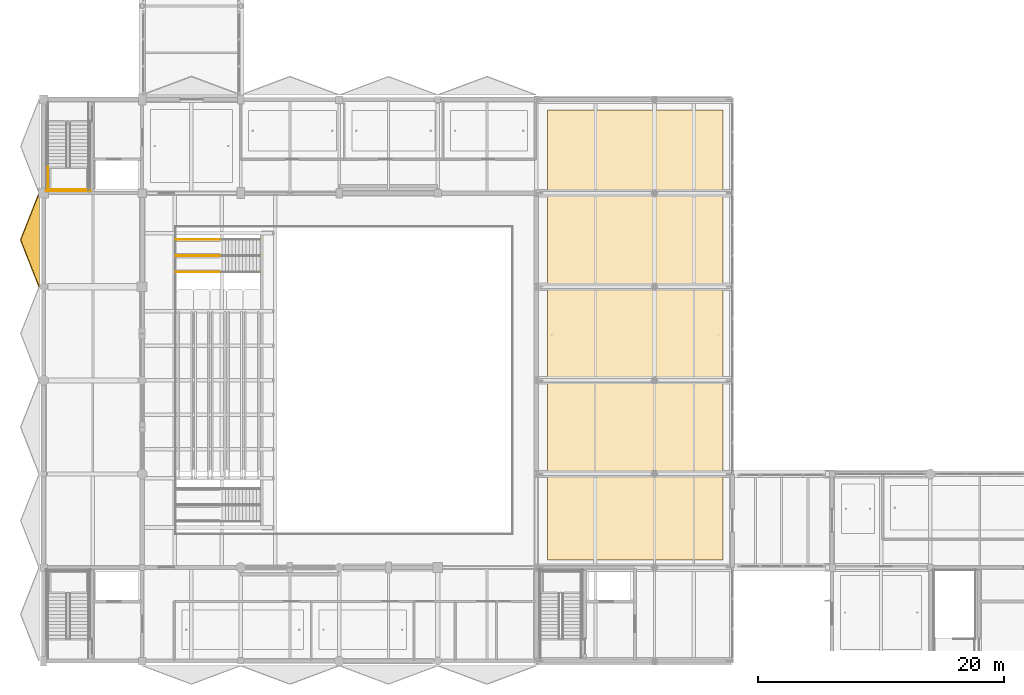
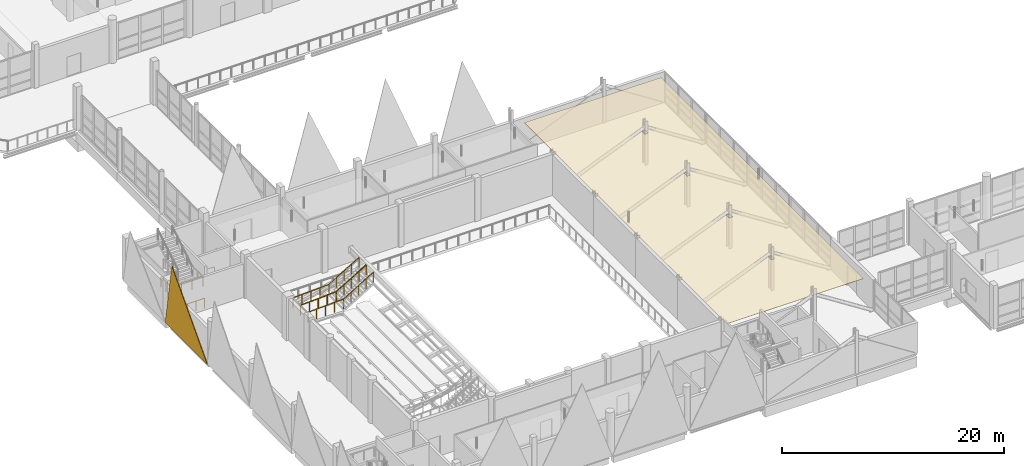
# One storey, part 130 of 141: 7 railings, 2 coverings.
"""IFC4 building model written with IfcOpenShell, lengths in metres."""

from ifc_helpers import new_model, si_unit, direction, frame, origin, origin_2d, place, context, subcontext, project, spatial, polyline, circle, outline, extrude, material, layer, layer_set, type_object, element, save


model = new_model("IFC4")

# Units and contexts
model_context = context("Model", 3, precision=1e-05, world=origin(), true_north=direction((0.0, 1.0)))
body_context = subcontext(model_context, "Body", "Model", "MODEL_VIEW")
ifc_project = project(units=[si_unit("LENGTHUNIT", "METRE"), si_unit("AREAUNIT", "SQUARE_METRE"), si_unit("VOLUMEUNIT", "CUBIC_METRE"), si_unit("PLANEANGLEUNIT", "RADIAN"), si_unit("MASSUNIT", "GRAM", prefix="KILO")], contexts=[model_context])

# Site, building, storey
site_placement = place(None, origin())
site = spatial("IfcSite", under=ifc_project, at=site_placement, CompositionType="ELEMENT")
building_placement = place(site_placement, origin())
building = spatial("IfcBuilding", under=site, at=building_placement, Name="Khelvaren Railside Concert Hall", CompositionType="ELEMENT")
storey_placement = place(building_placement, frame((0.0, 0.0, 10.199951171875)))
storey = spatial("IfcBuildingStorey", under=building, at=storey_placement, Name="L02", CompositionType="ELEMENT", Elevation=10.199951171875)

# Coverings
ifc_material_1 = material(Name="Board-marked precast concrete C45/55", Category="concrete")
ifc_layer_1 = layer(ifc_material_1, 0.070068359375)
ifc_layer_set_1 = layer_set([ifc_layer_1], Name="Board-marked precast concrete C45/55")
covering_type_1 = type_object("IfcCoveringType", Name="CLD68", PredefinedType="CLADDING", material=ifc_layer_set_1)
covering_1_placement = place(storey_placement, frame((-0.35498046875, 30.39990234375, 0.0), z_axis=(0.986559998498, 0.0, 0.163399416655), x_axis=(0.0, 1.0, 0.0)))
element("IfcCovering", 1, at=covering_1_placement, inside=storey, type_object=covering_type_1, Name="Main Hall Cut-Crystal West Lower Facet 5", PredefinedType="CLADDING", context=body_context, shape_type="SweptSolid", body=[
    extrude(outline(polyline([(0.0, 0.0), (7.60009765625, 0.0), (3.800048828125, 9.150076653336638), (0.0, 0.0)])), origin(), (0.0, 0.0, -1.0), 0.070068359375),
])
ifc_material_2 = material(Name="Mineral-wool acoustic baffle ceiling", Category="gypsum")
ifc_layer_2 = layer(ifc_material_2, 0.0400390625)
ifc_layer_set_2 = layer_set([ifc_layer_2], Name="Mineral-wool acoustic baffle ceiling")
covering_type_2 = type_object("IfcCoveringType", Name="CLG20", PredefinedType="CEILING", material=ifc_layer_set_2)
covering_2_placement = place(storey_placement, frame((0.0, 0.0, 3.41015625)))
element("IfcCovering", 2, at=covering_2_placement, inside=storey, type_object=covering_type_2, Name="Suspended Acoustic Ceiling Upper Crystal Belvedere Foyer", PredefinedType="CEILING", context=body_context, shape_type="SweptSolid", body=[
    extrude(outline(polyline([(40.89990234375, 8.199951171875), (55.14990234375, 8.199951171875), (55.14990234375, 44.75), (40.89990234375, 44.75), (40.89990234375, 8.199951171875)]), holes=[polyline([(49.43505859375, 14.93505859375), (49.764892578125, 14.93505859375), (49.764892578125, 15.465087890625), (49.43505859375, 15.465087890625), (49.43505859375, 14.93505859375)]), polyline([(49.43505859375, 22.534912109375), (49.764892578125, 22.534912109375), (49.764892578125, 23.06494140625), (49.43505859375, 23.06494140625), (49.43505859375, 22.534912109375)]), polyline([(49.43505859375, 30.135009765625), (49.764892578125, 30.135009765625), (49.764892578125, 30.6650390625), (49.43505859375, 30.6650390625), (49.43505859375, 30.135009765625)]), polyline([(49.43505859375, 37.735107421875), (49.764892578125, 37.735107421875), (49.764892578125, 38.264892578125), (49.43505859375, 38.264892578125), (49.43505859375, 37.735107421875)])]), origin(), (0.0, 0.0, 1.0), 0.039794921875),
])

# Railings
ifc_material_3 = material(Name="Painted architectural steel", Category="steel")
railing_type = type_object("IfcRailingType", Name="GRD86", PredefinedType="GUARDRAIL", material=ifc_material_3)
railing_1_placement = place(storey_placement, frame((0.35009765625, 40.1201171875, 2.400146484375)))
element("IfcRailing", 3, at=railing_1_placement, inside=storey, type_object=railing_type, Name="L02 ST-11 stair guard 3", PredefinedType="GUARDRAIL", context=body_context, shape_type="SweptSolid", body=[
    extrude(circle(Radius=0.02392578125, at=origin_2d()), frame((0.0, 0.0, 1.076171875), z_axis=(0.0, -1.0, 0.0), x_axis=(1.0, 0.0, 0.0)), (0.0, 0.0, 1.0), 1.880126953125),
    extrude(circle(Radius=0.02099609375, at=origin_2d()), origin(), (0.0, 0.0, 1.0), 1.052001953125),
    extrude(circle(Radius=0.02099609375, at=origin_2d()), frame((0.0, -0.93994140625, 0.0)), (0.0, 0.0, 1.0), 1.052001953125),
    extrude(circle(Radius=0.02099609375, at=origin_2d()), frame((0.0, -1.880126953125, 0.0)), (0.0, 0.0, 1.0), 1.052001953125),
])
railing_2_placement = place(storey_placement, frame((0.300048828125, 38.2900390625, 2.400146484375)))
element("IfcRailing", 4, at=railing_2_placement, inside=storey, type_object=railing_type, Name="L02 ST-11 stair guard 5", PredefinedType="GUARDRAIL", context=body_context, shape_type="SweptSolid", body=[
    extrude(circle(Radius=0.02392578125, at=origin_2d()), frame((0.0, 0.0, 1.076171875), z_axis=(1.0, 0.0, 0.0), x_axis=(0.0, 1.0, 0.0)), (0.0, 0.0, 1.0), 3.39990234375),
    extrude(circle(Radius=0.02099609375, at=origin_2d()), origin(), (0.0, 0.0, 1.0), 1.052001953125),
    extrude(circle(Radius=0.02099609375, at=origin_2d()), frame((1.13330078125, 0.0, 0.0)), (0.0, 0.0, 1.0), 1.052001953125),
    extrude(circle(Radius=0.02099609375, at=origin_2d()), frame((2.2666015625, 0.0, 0.0)), (0.0, 0.0, 1.0), 1.052001953125),
    extrude(circle(Radius=0.02099609375, at=origin_2d()), frame((3.39990234375, 0.0, 0.0)), (0.0, 0.0, 1.0), 1.052001953125),
])
railing_3_placement = place(storey_placement, frame((0.199951171875, 38.18994140625, 0.0)))
element("IfcRailing", 5, at=railing_3_placement, inside=storey, type_object=railing_type, Name="L02 ST-11 stair guard 12", PredefinedType="GUARDRAIL", context=body_context, shape_type="SweptSolid", body=[
    extrude(circle(Radius=0.02392578125, at=origin_2d()), frame((0.0, 0.0, 1.076171875), z_axis=(1.0, 0.0, 0.0), x_axis=(0.0, 1.0, 0.0)), (0.0, 0.0, 1.0), 3.60009765625),
    extrude(circle(Radius=0.02099609375, at=origin_2d()), origin(), (0.0, 0.0, 1.0), 1.052001953125),
    extrude(circle(Radius=0.02099609375, at=origin_2d()), frame((0.89990234375, 0.0, 0.0)), (0.0, 0.0, 1.0), 1.052001953125),
    extrude(circle(Radius=0.02099609375, at=origin_2d()), frame((1.800048828125, 0.0, 0.0)), (0.0, 0.0, 1.0), 1.052001953125),
    extrude(circle(Radius=0.02099609375, at=origin_2d()), frame((2.7001953125, 0.0, 0.0)), (0.0, 0.0, 1.0), 1.052001953125),
    extrude(circle(Radius=0.02099609375, at=origin_2d()), frame((3.60009765625, 0.0, 0.0)), (0.0, 0.0, 1.0), 1.052001953125),
])
for number, where, name in (
    (6, (10.75, 31.60009765625, 0.0), "Vomitory Guardrail ST-23-L"),
    (7, (10.75, 32.89990234375, 0.0), "Vomitory Guardrail ST-23-R"),
    (8, (10.75, 32.949951171875, 0.0), "Vomitory Guardrail ST-24-L"),
    (9, (10.75, 34.25, 0.0), "Vomitory Guardrail ST-24-R"),
):
    element("IfcRailing", number, at=place(storey_placement, frame(where)), inside=storey, type_object=railing_type, Name=name, PredefinedType="GUARDRAIL", context=body_context, shape_type="SweptSolid", body=[
        extrude(circle(Radius=0.02392578125, at=origin_2d()), frame((0.0, 0.0, 1.076171875), z_axis=(0.998955386328, 0.0, 0.045696128127), x_axis=(0.0, 1.0, 0.0)), (0.0, 0.0, 1.0), 3.723876953125),
        extrude(circle(Radius=0.02392578125, at=origin_2d()), frame((3.719970703125, 0.0, 1.24609375), z_axis=(0.858483901645, 0.0, 0.512840511871), x_axis=(0.0, 1.0, 0.0)), (0.0, 0.0, 1.0), 3.64599609375),
        extrude(circle(Radius=0.02099609375, at=origin_2d()), origin(), (0.0, 0.0, 1.0), 1.052001953125),
        extrude(circle(Radius=0.02099609375, at=origin_2d()), frame((0.929931640625, 0.0, 0.04248046875)), (0.0, 0.0, 1.0), 1.052001953125),
        extrude(circle(Radius=0.02099609375, at=origin_2d()), frame((1.85986328125, 0.0, 0.0849609375)), (0.0, 0.0, 1.0), 1.052001953125),
        extrude(circle(Radius=0.02099609375, at=origin_2d()), frame((2.7900390625, 0.0, 0.127685546875)), (0.0, 0.0, 1.0), 1.052001953125),
        extrude(circle(Radius=0.02099609375, at=origin_2d()), frame((3.719970703125, 0.0, 0.170166015625)), (0.0, 0.0, 1.0), 1.052001953125),
        extrude(circle(Radius=0.02099609375, at=origin_2d()), frame((4.50244140625, 0.0, 0.6376953125)), (0.0, 0.0, 1.0), 1.052001953125),
        extrude(circle(Radius=0.02099609375, at=origin_2d()), frame((5.28515625, 0.0, 1.10498046875)), (0.0, 0.0, 1.0), 1.052001953125),
        extrude(circle(Radius=0.02099609375, at=origin_2d()), frame((6.067626953125, 0.0, 1.572509765625)), (0.0, 0.0, 1.0), 1.052001953125),
        extrude(circle(Radius=0.02099609375, at=origin_2d()), frame((6.85009765625, 0.0, 2.0400390625)), (0.0, 0.0, 1.0), 1.052001953125),
    ])

save(model, "model.ifc")
